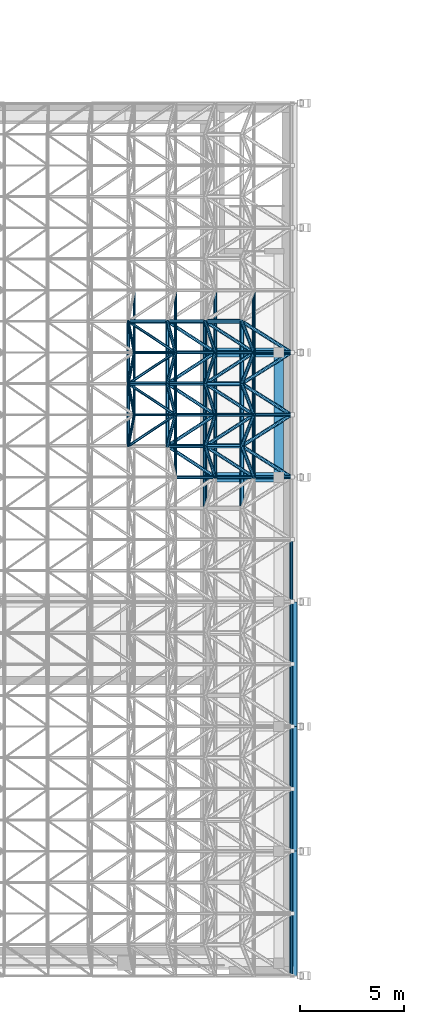
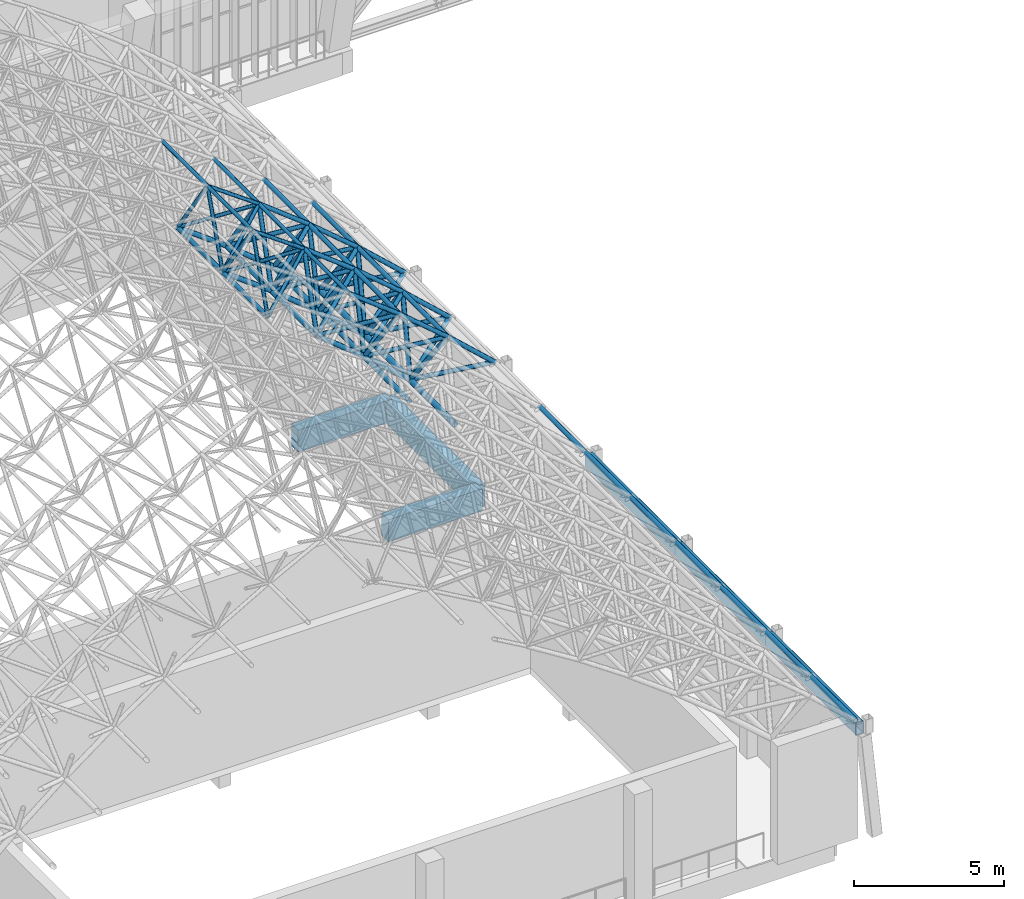
# One storey, part 23 of 141: 84 members, 6 beams.
"""IFC4 building model written with IfcOpenShell, lengths in metres."""

from ifc_helpers import new_model, si_unit, direction, frame, origin, origin_2d, place, context, subcontext, project, spatial, rectangle, hollow_rectangle, hollow_circle, extrude, material, material_profile, profile_set, type_object, element, save


model = new_model("IFC4")

# Units and contexts
model_context = context("Model", 3, precision=1e-05, world=origin(), true_north=direction((0.0, 1.0)))
body_context = subcontext(model_context, "Body", "Model", "MODEL_VIEW")
ifc_project = project(units=[si_unit("LENGTHUNIT", "METRE"), si_unit("AREAUNIT", "SQUARE_METRE"), si_unit("VOLUMEUNIT", "CUBIC_METRE"), si_unit("PLANEANGLEUNIT", "RADIAN"), si_unit("MASSUNIT", "GRAM", prefix="KILO")], contexts=[model_context])

# Site, building, storey
site_placement = place(None, origin())
site = spatial("IfcSite", under=ifc_project, at=site_placement, CompositionType="ELEMENT")
building_placement = place(site_placement, origin())
building = spatial("IfcBuilding", under=site, at=building_placement, Name="Lantern Court Media Centre", CompositionType="ELEMENT")
storey_placement = place(building_placement, frame((0.0, 0.0, 9.60009765625)))
storey = spatial("IfcBuildingStorey", under=building, at=storey_placement, Name="L02", CompositionType="ELEMENT", Elevation=9.60009765625)

# Members
ifc_material_1 = material(Name="Steel S355J2 (EN 10025-2)", Category="steel")
ifc_material_profile_1 = material_profile(ifc_material_1, hollow_circle(Radius=0.084228515625, WallThickness=0.008056640625, at=origin_2d()), Name="Cinema Hall bottom CHS 168.3x8")
ifc_profile_set_1 = profile_set([ifc_material_profile_1], Name="Steel S355J2 (EN 10025-2)")
member_type_1 = type_object("IfcMemberType", Name="Cinema Hall bottom CHS 168.3x8", PredefinedType="CHORD", material=ifc_profile_set_1)
for number, where, z_axis, x_axis, name in (
    (1, (24.162353515625, 23.5, 8.463623046875), (0.0, 1.0, 0.0), (-1.0, 0.0, 0.0), "Cinema Hall bottom chord 13-09"),
    (2, (24.162353515625, 26.5, 8.463623046875), (0.0, 1.0, 0.0), (-1.0, 0.0, 0.0), "Cinema Hall bottom chord 13-10"),
):
    element("IfcMember", number, at=place(storey_placement, frame(where, z_axis=z_axis, x_axis=x_axis)), inside=storey, type_object=member_type_1, Name=name, PredefinedType="CHORD", context=body_context, shape_type="SweptSolid", body=[
        extrude(hollow_circle(Radius=0.084228515625, WallThickness=0.008056640625, at=origin_2d()), origin(), (0.0, 0.0, 1.0), 3.0),
    ])
ifc_material_profile_2 = material_profile(ifc_material_1, hollow_circle(Radius=0.096923828125, WallThickness=0.010009765625, at=origin_2d()), Name="Cinema Hall bottom CHS 193.7x10")
ifc_profile_set_2 = profile_set([ifc_material_profile_2], Name="Steel S355J2 (EN 10025-2)")
member_type_2 = type_object("IfcMemberType", Name="Cinema Hall bottom CHS 193.7x10", PredefinedType="CHORD", material=ifc_profile_set_2)
for number, where, z_axis, x_axis, name in (
    (3, (27.8623046875, 20.5, 5.57275390625), (0.0, 1.0, 0.0), (-1.0, 0.0, 0.0), "Cinema Hall bottom chord 15-08"),
    (4, (27.8623046875, 23.5, 5.57275390625), (0.0, 1.0, 0.0), (-1.0, 0.0, 0.0), "Cinema Hall bottom chord 15-09"),
    (5, (27.8623046875, 26.5, 5.57275390625), (0.0, 1.0, 0.0), (-1.0, 0.0, 0.0), "Cinema Hall bottom chord 15-10"),
):
    element("IfcMember", number, at=place(storey_placement, frame(where, z_axis=z_axis, x_axis=x_axis)), inside=storey, type_object=member_type_2, Name=name, PredefinedType="CHORD", context=body_context, shape_type="SweptSolid", body=[
        extrude(hollow_circle(Radius=0.096923828125, WallThickness=0.010009765625, at=origin_2d()), origin(), (0.0, 0.0, 1.0), 3.0),
    ])
for number, where, z_axis, x_axis, name in (
    (6, (26.041748046875, 23.5, 7.0556640625), (0.775340578175, 0.0, -0.63154333805), (0.0, 1.0, 0.0), "Cinema Hall bottom chord 14-09 across"),
    (7, (26.041748046875, 26.5, 7.0556640625), (0.775340578175, 0.0, -0.63154333805), (0.0, 1.0, 0.0), "Cinema Hall bottom chord 14-10 across"),
    (8, (26.041748046875, 29.5, 7.0556640625), (0.775340578175, 0.0, -0.63154333805), (0.0, 1.0, 0.0), "Cinema Hall bottom chord 14-11 across"),
):
    element("IfcMember", number, at=place(storey_placement, frame(where, z_axis=z_axis, x_axis=x_axis)), inside=storey, type_object=member_type_2, Name=name, PredefinedType="CHORD", context=body_context, shape_type="SweptSolid", body=[
        extrude(hollow_circle(Radius=0.096923828125, WallThickness=0.010009765625, at=origin_2d()), origin(), (0.0, 0.0, 1.0), 2.34814453125),
    ])
ifc_material_profile_3 = material_profile(ifc_material_1, hollow_circle(Radius=0.096923828125, WallThickness=0.008056640625, at=origin_2d()), Name="Cinema Hall bottom CHS 193.7x8")
ifc_profile_set_3 = profile_set([ifc_material_profile_3], Name="Steel S355J2 (EN 10025-2)")
member_type_3 = type_object("IfcMemberType", Name="Cinema Hall bottom CHS 193.7x8", PredefinedType="CHORD", material=ifc_profile_set_3)
for number, where, z_axis, x_axis, name in (
    (9, (26.041748046875, 23.5, 7.0556640625), (0.0, 1.0, 0.0), (-1.0, 0.0, 0.0), "Cinema Hall bottom chord 14-09"),
    (10, (26.041748046875, 26.5, 7.0556640625), (0.0, 1.0, 0.0), (-1.0, 0.0, 0.0), "Cinema Hall bottom chord 14-10"),
):
    element("IfcMember", number, at=place(storey_placement, frame(where, z_axis=z_axis, x_axis=x_axis)), inside=storey, type_object=member_type_3, Name=name, PredefinedType="CHORD", context=body_context, shape_type="SweptSolid", body=[
        extrude(hollow_circle(Radius=0.096923828125, WallThickness=0.008056640625, at=origin_2d()), origin(), (0.0, 0.0, 1.0), 3.0),
    ])
for number, where, z_axis, x_axis, name in (
    (11, (24.162353515625, 26.5, 8.463623046875), (0.800324254575, 0.0, -0.599567417009), (0.0, 1.0, 0.0), "Cinema Hall bottom chord 13-10 across"),
    (12, (24.162353515625, 29.5, 8.463623046875), (0.800324254575, 0.0, -0.599567417009), (0.0, 1.0, 0.0), "Cinema Hall bottom chord 13-11 across"),
):
    element("IfcMember", number, at=place(storey_placement, frame(where, z_axis=z_axis, x_axis=x_axis)), inside=storey, type_object=member_type_3, Name=name, PredefinedType="CHORD", context=body_context, shape_type="SweptSolid", body=[
        extrude(hollow_circle(Radius=0.096923828125, WallThickness=0.008056640625, at=origin_2d()), origin(), (0.0, 0.0, 1.0), 2.348388671875),
    ])
ifc_material_profile_4 = material_profile(ifc_material_1, hollow_circle(Radius=0.109619140625, WallThickness=0.010009765625, at=origin_2d()), Name="Cinema Hall bottom CHS 219.1x10")
ifc_profile_set_4 = profile_set([ifc_material_profile_4], Name="Steel S355J2 (EN 10025-2)")
member_type_4 = type_object("IfcMemberType", Name="Cinema Hall bottom CHS 219.1x10", PredefinedType="CHORD", material=ifc_profile_set_4)
for number, where, z_axis, x_axis, name in (
    (13, (29.621337890625, 20.5, 4.016845703125), (0.0, 1.0, 0.0), (-1.0, 0.0, 0.0), "Cinema Hall bottom chord 16-08"),
    (14, (29.621337890625, 23.5, 4.016845703125), (0.0, 1.0, 0.0), (-1.0, 0.0, 0.0), "Cinema Hall bottom chord 16-09"),
    (15, (29.621337890625, 26.5, 4.016845703125), (0.0, 1.0, 0.0), (-1.0, 0.0, 0.0), "Cinema Hall bottom chord 16-10"),
):
    element("IfcMember", number, at=place(storey_placement, frame(where, z_axis=z_axis, x_axis=x_axis)), inside=storey, type_object=member_type_4, Name=name, PredefinedType="CHORD", context=body_context, shape_type="SweptSolid", body=[
        extrude(hollow_circle(Radius=0.109619140625, WallThickness=0.010009765625, at=origin_2d()), origin(), (0.0, 0.0, 1.0), 3.0),
    ])
for number, where, z_axis, x_axis, name in (
    (16, (27.8623046875, 23.5, 5.57275390625), (0.749030294531, 0.0, -0.662535748375), (0.0, 1.0, 0.0), "Cinema Hall bottom chord 15-09 across"),
    (17, (27.8623046875, 26.5, 5.57275390625), (0.749030294531, 0.0, -0.662535748375), (0.0, 1.0, 0.0), "Cinema Hall bottom chord 15-10 across"),
    (18, (27.8623046875, 29.5, 5.57275390625), (0.749030294531, 0.0, -0.662535748375), (0.0, 1.0, 0.0), "Cinema Hall bottom chord 15-11 across"),
):
    element("IfcMember", number, at=place(storey_placement, frame(where, z_axis=z_axis, x_axis=x_axis)), inside=storey, type_object=member_type_4, Name=name, PredefinedType="CHORD", context=body_context, shape_type="SweptSolid", body=[
        extrude(hollow_circle(Radius=0.109619140625, WallThickness=0.010009765625, at=origin_2d()), origin(), (0.0, 0.0, 1.0), 2.348388671875),
    ])
ifc_material_profile_5 = material_profile(ifc_material_1, hollow_circle(Radius=0.06982421875, WallThickness=0.008056640625, at=origin_2d()), Name="Cinema Hall diagonal CHS 139.7x8")
ifc_profile_set_5 = profile_set([ifc_material_profile_5], Name="Steel S355J2 (EN 10025-2)")
member_type_5 = type_object("IfcMemberType", Name="Cinema Hall diagonal CHS 139.7x8", PredefinedType="BRACE", material=ifc_profile_set_5)
member_1_placement = place(storey_placement, frame((24.162353515625, 23.5, 8.463623046875), z_axis=(0.776210877705, 0.513849761084, 0.365315064521), x_axis=(-0.552001963744, 0.833842810141, 0.0)))
element("IfcMember", 19, at=member_1_placement, inside=storey, type_object=member_type_5, Name="Cinema Hall diagonal 13-09-3", PredefinedType="BRACE", context=body_context, shape_type="SweptSolid", body=[
    extrude(hollow_circle(Radius=0.06982421875, WallThickness=0.008056640625, at=origin_2d()), origin(), (0.0, 0.0, 1.0), 2.919189453125),
])
for number, where, z_axis, x_axis, name in (
    (20, (24.162353515625, 23.5, 8.463623046875), (0.09785614588, 0.51387022247, 0.852268484207), (-0.982346962135, 0.187068025016, 0.0), "Cinema Hall diagonal 13-09-4"),
    (21, (24.162353515625, 26.5, 8.463623046875), (0.09785614588, -0.51387022247, 0.852268484207), (0.982346962135, 0.187068025016, 0.0), "Cinema Hall diagonal 13-10-1"),
):
    element("IfcMember", number, at=place(storey_placement, frame(where, z_axis=z_axis, x_axis=x_axis)), inside=storey, type_object=member_type_5, Name=name, PredefinedType="BRACE", context=body_context, shape_type="SweptSolid", body=[
        extrude(hollow_circle(Radius=0.06982421875, WallThickness=0.008056640625, at=origin_2d()), origin(), (0.0, 0.0, 1.0), 2.9189453125),
    ])
for number, where, z_axis, x_axis, name in (
    (22, (24.162353515625, 26.5, 8.463623046875), (0.776210877705, -0.513849761084, 0.365315064521), (0.552001963744, 0.833842810141, 0.0), "Cinema Hall diagonal 13-10-2"),
    (23, (24.162353515625, 26.5, 8.463623046875), (0.776210877705, 0.513849761084, 0.365315064521), (-0.552001963744, 0.833842810141, 0.0), "Cinema Hall diagonal 13-10-3"),
):
    element("IfcMember", number, at=place(storey_placement, frame(where, z_axis=z_axis, x_axis=x_axis)), inside=storey, type_object=member_type_5, Name=name, PredefinedType="BRACE", context=body_context, shape_type="SweptSolid", body=[
        extrude(hollow_circle(Radius=0.06982421875, WallThickness=0.008056640625, at=origin_2d()), origin(), (0.0, 0.0, 1.0), 2.919189453125),
    ])
for number, where, z_axis, x_axis, name in (
    (24, (24.162353515625, 26.5, 8.463623046875), (0.09785614588, 0.51387022247, 0.852268484207), (-0.982346962135, 0.187068025016, 0.0), "Cinema Hall diagonal 13-10-4"),
    (25, (24.162353515625, 29.5, 8.463623046875), (0.09785614588, -0.51387022247, 0.852268484207), (0.982346962135, 0.187068025016, 0.0), "Cinema Hall diagonal 13-11-1"),
):
    element("IfcMember", number, at=place(storey_placement, frame(where, z_axis=z_axis, x_axis=x_axis)), inside=storey, type_object=member_type_5, Name=name, PredefinedType="BRACE", context=body_context, shape_type="SweptSolid", body=[
        extrude(hollow_circle(Radius=0.06982421875, WallThickness=0.008056640625, at=origin_2d()), origin(), (0.0, 0.0, 1.0), 2.9189453125),
    ])
member_2_placement = place(storey_placement, frame((24.162353515625, 29.5, 8.463623046875), z_axis=(0.776210877705, -0.513849761084, 0.365315064521), x_axis=(0.552001963744, 0.833842810141, 0.0)))
element("IfcMember", 26, at=member_2_placement, inside=storey, type_object=member_type_5, Name="Cinema Hall diagonal 13-11-2", PredefinedType="BRACE", context=body_context, shape_type="SweptSolid", body=[
    extrude(hollow_circle(Radius=0.06982421875, WallThickness=0.008056640625, at=origin_2d()), origin(), (0.0, 0.0, 1.0), 2.919189453125),
])
ifc_material_profile_6 = material_profile(ifc_material_1, hollow_circle(Radius=0.084228515625, WallThickness=0.010009765625, at=origin_2d()), Name="Cinema Hall diagonal CHS 168.3x10")
ifc_profile_set_6 = profile_set([ifc_material_profile_6], Name="Steel S355J2 (EN 10025-2)")
member_type_6 = type_object("IfcMemberType", Name="Cinema Hall diagonal CHS 168.3x10", PredefinedType="BRACE", material=ifc_profile_set_6)
member_3_placement = place(storey_placement, frame((27.8623046875, 23.5, 5.57275390625), z_axis=(0.166695380465, -0.513886812634, 0.841506383774), x_axis=(0.951206854862, 0.308553916299, 0.0)))
element("IfcMember", 27, at=member_3_placement, inside=storey, type_object=member_type_6, Name="Cinema Hall diagonal 15-09-1", PredefinedType="BRACE", context=body_context, shape_type="SweptSolid", body=[
    extrude(hollow_circle(Radius=0.084228515625, WallThickness=0.010009765625, at=origin_2d()), origin(), (0.0, 0.0, 1.0), 2.9189453125),
])
for number, where, z_axis, x_axis, name in (
    (28, (27.8623046875, 23.5, 5.57275390625), (0.803309435106, -0.513850408047, 0.301084223465), (0.538854579896, 0.842398802068, 0.0), "Cinema Hall diagonal 15-09-2"),
    (29, (27.8623046875, 23.5, 5.57275390625), (0.803309435106, 0.513850408047, 0.301084223465), (-0.538854579896, 0.842398802068, 0.0), "Cinema Hall diagonal 15-09-3"),
):
    element("IfcMember", number, at=place(storey_placement, frame(where, z_axis=z_axis, x_axis=x_axis)), inside=storey, type_object=member_type_6, Name=name, PredefinedType="BRACE", context=body_context, shape_type="SweptSolid", body=[
        extrude(hollow_circle(Radius=0.084228515625, WallThickness=0.010009765625, at=origin_2d()), origin(), (0.0, 0.0, 1.0), 2.919189453125),
    ])
for number, where, z_axis, x_axis, name in (
    (30, (27.8623046875, 23.5, 5.57275390625), (0.166695380465, 0.513886812634, 0.841506383774), (-0.951206854862, 0.308553916299, 0.0), "Cinema Hall diagonal 15-09-4"),
    (31, (27.8623046875, 26.5, 5.57275390625), (0.166695380465, -0.513886812634, 0.841506383774), (0.951206854862, 0.308553916299, 0.0), "Cinema Hall diagonal 15-10-1"),
):
    element("IfcMember", number, at=place(storey_placement, frame(where, z_axis=z_axis, x_axis=x_axis)), inside=storey, type_object=member_type_6, Name=name, PredefinedType="BRACE", context=body_context, shape_type="SweptSolid", body=[
        extrude(hollow_circle(Radius=0.084228515625, WallThickness=0.010009765625, at=origin_2d()), origin(), (0.0, 0.0, 1.0), 2.9189453125),
    ])
for number, where, z_axis, x_axis, name in (
    (32, (27.8623046875, 26.5, 5.57275390625), (0.803309435106, -0.513850408047, 0.301084223465), (0.538854579896, 0.842398802068, 0.0), "Cinema Hall diagonal 15-10-2"),
    (33, (27.8623046875, 26.5, 5.57275390625), (0.803309435106, 0.513850408047, 0.301084223465), (-0.538854579896, 0.842398802068, 0.0), "Cinema Hall diagonal 15-10-3"),
):
    element("IfcMember", number, at=place(storey_placement, frame(where, z_axis=z_axis, x_axis=x_axis)), inside=storey, type_object=member_type_6, Name=name, PredefinedType="BRACE", context=body_context, shape_type="SweptSolid", body=[
        extrude(hollow_circle(Radius=0.084228515625, WallThickness=0.010009765625, at=origin_2d()), origin(), (0.0, 0.0, 1.0), 2.919189453125),
    ])
for number, where, z_axis, x_axis, name in (
    (34, (27.8623046875, 26.5, 5.57275390625), (0.166695380465, 0.513886812634, 0.841506383774), (-0.951206854862, 0.308553916299, 0.0), "Cinema Hall diagonal 15-10-4"),
    (35, (27.8623046875, 29.5, 5.57275390625), (0.166695380465, -0.513886812634, 0.841506383774), (0.951206854862, 0.308553916299, 0.0), "Cinema Hall diagonal 15-11-1"),
):
    element("IfcMember", number, at=place(storey_placement, frame(where, z_axis=z_axis, x_axis=x_axis)), inside=storey, type_object=member_type_6, Name=name, PredefinedType="BRACE", context=body_context, shape_type="SweptSolid", body=[
        extrude(hollow_circle(Radius=0.084228515625, WallThickness=0.010009765625, at=origin_2d()), origin(), (0.0, 0.0, 1.0), 2.9189453125),
    ])
member_4_placement = place(storey_placement, frame((27.8623046875, 29.5, 5.57275390625), z_axis=(0.803309435106, -0.513850408047, 0.301084223465), x_axis=(0.538854579896, 0.842398802068, 0.0)))
element("IfcMember", 36, at=member_4_placement, inside=storey, type_object=member_type_6, Name="Cinema Hall diagonal 15-11-2", PredefinedType="BRACE", context=body_context, shape_type="SweptSolid", body=[
    extrude(hollow_circle(Radius=0.084228515625, WallThickness=0.010009765625, at=origin_2d()), origin(), (0.0, 0.0, 1.0), 2.919189453125),
])
ifc_material_profile_7 = material_profile(ifc_material_1, hollow_circle(Radius=0.084228515625, WallThickness=0.008056640625, at=origin_2d()), Name="Cinema Hall diagonal CHS 168.3x8")
ifc_profile_set_7 = profile_set([ifc_material_profile_7], Name="Steel S355J2 (EN 10025-2)")
member_type_7 = type_object("IfcMemberType", Name="Cinema Hall diagonal CHS 168.3x8", PredefinedType="BRACE", material=ifc_profile_set_7)
for number, where, z_axis, x_axis, name in (
    (37, (26.041748046875, 23.5, 7.0556640625), (0.790394065187, -0.513881601747, 0.333471019884), (0.545081898441, 0.838382802777, 0.0), "Cinema Hall diagonal 14-09-2"),
    (38, (26.041748046875, 23.5, 7.0556640625), (0.790394065187, 0.513881601747, 0.333471019884), (-0.545081898441, 0.838382802777, 0.0), "Cinema Hall diagonal 14-09-3"),
):
    element("IfcMember", number, at=place(storey_placement, frame(where, z_axis=z_axis, x_axis=x_axis)), inside=storey, type_object=member_type_7, Name=name, PredefinedType="BRACE", context=body_context, shape_type="SweptSolid", body=[
        extrude(hollow_circle(Radius=0.084228515625, WallThickness=0.008056640625, at=origin_2d()), origin(), (0.0, 0.0, 1.0), 2.9189453125),
    ])
for number, where, z_axis, x_axis, name in (
    (39, (26.041748046875, 23.5, 7.0556640625), (0.132389678542, 0.513835871739, 0.847611744804), (-0.968374432366, 0.249501420318, 0.0), "Cinema Hall diagonal 14-09-4"),
    (40, (26.041748046875, 26.5, 7.0556640625), (0.132389678542, -0.513835871739, 0.847611744804), (0.968374432366, 0.249501420318, 0.0), "Cinema Hall diagonal 14-10-1"),
):
    element("IfcMember", number, at=place(storey_placement, frame(where, z_axis=z_axis, x_axis=x_axis)), inside=storey, type_object=member_type_7, Name=name, PredefinedType="BRACE", context=body_context, shape_type="SweptSolid", body=[
        extrude(hollow_circle(Radius=0.084228515625, WallThickness=0.008056640625, at=origin_2d()), origin(), (0.0, 0.0, 1.0), 2.919189453125),
    ])
for number, where, z_axis, x_axis, name in (
    (41, (26.041748046875, 26.5, 7.0556640625), (0.790394065187, -0.513881601747, 0.333471019884), (0.545081898441, 0.838382802777, 0.0), "Cinema Hall diagonal 14-10-2"),
    (42, (26.041748046875, 26.5, 7.0556640625), (0.790394065187, 0.513881601747, 0.333471019884), (-0.545081898441, 0.838382802777, 0.0), "Cinema Hall diagonal 14-10-3"),
):
    element("IfcMember", number, at=place(storey_placement, frame(where, z_axis=z_axis, x_axis=x_axis)), inside=storey, type_object=member_type_7, Name=name, PredefinedType="BRACE", context=body_context, shape_type="SweptSolid", body=[
        extrude(hollow_circle(Radius=0.084228515625, WallThickness=0.008056640625, at=origin_2d()), origin(), (0.0, 0.0, 1.0), 2.9189453125),
    ])
for number, where, z_axis, x_axis, name in (
    (43, (26.041748046875, 26.5, 7.0556640625), (0.132389678542, 0.513835871739, 0.847611744804), (-0.968374432366, 0.249501420318, 0.0), "Cinema Hall diagonal 14-10-4"),
    (44, (26.041748046875, 29.5, 7.0556640625), (0.132389678542, -0.513835871739, 0.847611744804), (0.968374432366, 0.249501420318, 0.0), "Cinema Hall diagonal 14-11-1"),
):
    element("IfcMember", number, at=place(storey_placement, frame(where, z_axis=z_axis, x_axis=x_axis)), inside=storey, type_object=member_type_7, Name=name, PredefinedType="BRACE", context=body_context, shape_type="SweptSolid", body=[
        extrude(hollow_circle(Radius=0.084228515625, WallThickness=0.008056640625, at=origin_2d()), origin(), (0.0, 0.0, 1.0), 2.919189453125),
    ])
member_5_placement = place(storey_placement, frame((26.041748046875, 29.5, 7.0556640625), z_axis=(0.790394065187, -0.513881601747, 0.333471019884), x_axis=(0.545081898441, 0.838382802777, 0.0)))
element("IfcMember", 45, at=member_5_placement, inside=storey, type_object=member_type_7, Name="Cinema Hall diagonal 14-11-2", PredefinedType="BRACE", context=body_context, shape_type="SweptSolid", body=[
    extrude(hollow_circle(Radius=0.084228515625, WallThickness=0.008056640625, at=origin_2d()), origin(), (0.0, 0.0, 1.0), 2.9189453125),
])
ifc_material_profile_8 = material_profile(ifc_material_1, hollow_circle(Radius=0.0888671875, WallThickness=0.010009765625, at=origin_2d()), Name="Cinema Hall diagonal CHS 177.8x10")
ifc_profile_set_8 = profile_set([ifc_material_profile_8], Name="Steel S355J2 (EN 10025-2)")
member_type_8 = type_object("IfcMemberType", Name="Cinema Hall diagonal CHS 177.8x10", PredefinedType="BRACE", material=ifc_profile_set_8)
for number, where, z_axis, x_axis, name in (
    (46, (29.621337890625, 23.5, 4.016845703125), (0.200719513512, -0.513841954591, 0.834073211773), (0.93145734948, 0.36385052714, 0.0), "Cinema Hall diagonal 16-09-1"),
    (47, (29.621337890625, 23.5, 4.016845703125), (0.814865608485, -0.513859622142, 0.268220671909), (0.533404912089, 0.845860035561, 0.0), "Cinema Hall diagonal 16-09-2"),
    (48, (29.621337890625, 23.5, 4.016845703125), (0.814865608485, 0.513859622142, 0.268220671909), (-0.533404912089, 0.845860035561, 0.0), "Cinema Hall diagonal 16-09-3"),
    (49, (29.621337890625, 23.5, 4.016845703125), (0.200719513512, 0.513841954591, 0.834073211773), (-0.93145734948, 0.36385052714, 0.0), "Cinema Hall diagonal 16-09-4"),
    (50, (29.621337890625, 26.5, 4.016845703125), (0.200719513512, -0.513841954591, 0.834073211773), (0.93145734948, 0.36385052714, 0.0), "Cinema Hall diagonal 16-10-1"),
    (51, (29.621337890625, 26.5, 4.016845703125), (0.814865608485, -0.513859622142, 0.268220671909), (0.533404912089, 0.845860035561, 0.0), "Cinema Hall diagonal 16-10-2"),
    (52, (29.621337890625, 26.5, 4.016845703125), (0.814865608485, 0.513859622142, 0.268220671909), (-0.533404912089, 0.845860035561, 0.0), "Cinema Hall diagonal 16-10-3"),
    (53, (29.621337890625, 26.5, 4.016845703125), (0.200719513512, 0.513841954591, 0.834073211773), (-0.93145734948, 0.36385052714, 0.0), "Cinema Hall diagonal 16-10-4"),
    (54, (29.621337890625, 29.5, 4.016845703125), (0.200719513512, -0.513841954591, 0.834073211773), (0.93145734948, 0.36385052714, 0.0), "Cinema Hall diagonal 16-11-1"),
    (55, (29.621337890625, 29.5, 4.016845703125), (0.814865608485, -0.513859622142, 0.268220671909), (0.533404912089, 0.845860035561, 0.0), "Cinema Hall diagonal 16-11-2"),
):
    element("IfcMember", number, at=place(storey_placement, frame(where, z_axis=z_axis, x_axis=x_axis)), inside=storey, type_object=member_type_8, Name=name, PredefinedType="BRACE", context=body_context, shape_type="SweptSolid", body=[
        extrude(hollow_circle(Radius=0.0888671875, WallThickness=0.010009765625, at=origin_2d()), origin(), (0.0, 0.0, 1.0), 2.919189453125),
    ])

# Beams
ifc_material_profile_9 = material_profile(ifc_material_1, hollow_rectangle(XDim=0.300048828125, YDim=0.5, WallThickness=0.01611328125, InnerFilletRadius=0.01611328125, OuterFilletRadius=0.02392578125, at=origin_2d()), Name="Cinema Hall edge girder RHS 500x300x16")
ifc_profile_set_9 = profile_set([ifc_material_profile_9], Name="Steel S355J2 (EN 10025-2)")
beam_type_1 = type_object("IfcBeamType", Name="Cinema Hall edge girder RHS 500x300x16", PredefinedType="BEAM", material=ifc_profile_set_9)
for number, where, z_axis, x_axis, name in (
    (56, (32.14990234375, -2.0, 4.449951171875), (0.0, 1.0, 0.0), (-1.0, 0.0, 0.0), "Cinema Hall edge girder east 1"),
    (57, (32.14990234375, 4.0, 4.449951171875), (0.0, 1.0, 0.0), (-1.0, 0.0, 0.0), "Cinema Hall edge girder east 2"),
    (58, (32.14990234375, 10.0, 4.449951171875), (0.0, 1.0, 0.0), (-1.0, 0.0, 0.0), "Cinema Hall edge girder east 3"),
):
    element("IfcBeam", number, at=place(storey_placement, frame(where, z_axis=z_axis, x_axis=x_axis)), inside=storey, type_object=beam_type_1, Name=name, PredefinedType="BEAM", context=body_context, shape_type="SweptSolid", body=[
        extrude(hollow_rectangle(XDim=0.300048828125, YDim=0.5, WallThickness=0.01611328125, InnerFilletRadius=0.01611328125, OuterFilletRadius=0.02392578125, at=origin_2d()), origin(), (0.0, 0.0, 1.0), 6.0),
    ])

# Members
ifc_material_profile_10 = material_profile(ifc_material_1, hollow_circle(Radius=0.06982421875, WallThickness=0.00634765625, at=origin_2d()), Name="Cinema Hall top CHS 139.7x6.3")
ifc_profile_set_10 = profile_set([ifc_material_profile_10], Name="Steel S355J2 (EN 10025-2)")
member_type_9 = type_object("IfcMemberType", Name="Cinema Hall top CHS 139.7x6.3", PredefinedType="CHORD", material=ifc_profile_set_10)
for number, where, z_axis, x_axis, name in (
    (59, (24.447998046875, 25.0, 10.951416015625), (0.0, 1.0, 0.0), (-1.0, 0.0, 0.0), "Cinema Hall top chord 13-10"),
    (60, (24.447998046875, 28.0, 10.951416015625), (0.0, 1.0, 0.0), (-1.0, 0.0, 0.0), "Cinema Hall top chord 13-11"),
):
    element("IfcMember", number, at=place(storey_placement, frame(where, z_axis=z_axis, x_axis=x_axis)), inside=storey, type_object=member_type_9, Name=name, PredefinedType="CHORD", context=body_context, shape_type="SweptSolid", body=[
        extrude(hollow_circle(Radius=0.06982421875, WallThickness=0.00634765625, at=origin_2d()), origin(), (0.0, 0.0, 1.0), 3.0),
    ])
ifc_material_profile_11 = material_profile(ifc_material_1, hollow_circle(Radius=0.06982421875, WallThickness=0.008056640625, at=origin_2d()), Name="Cinema Hall top CHS 139.7x8")
ifc_profile_set_11 = profile_set([ifc_material_profile_11], Name="Steel S355J2 (EN 10025-2)")
member_type_10 = type_object("IfcMemberType", Name="Cinema Hall top CHS 139.7x8", PredefinedType="CHORD", material=ifc_profile_set_11)
for number, where, z_axis, x_axis, name in (
    (61, (26.42822265625, 22.0, 9.530029296875), (0.0, 1.0, 0.0), (-1.0, 0.0, 0.0), "Cinema Hall top chord 14-09"),
    (62, (26.42822265625, 25.0, 9.530029296875), (0.0, 1.0, 0.0), (-1.0, 0.0, 0.0), "Cinema Hall top chord 14-10"),
    (63, (26.42822265625, 28.0, 9.530029296875), (0.0, 1.0, 0.0), (-1.0, 0.0, 0.0), "Cinema Hall top chord 14-11"),
):
    element("IfcMember", number, at=place(storey_placement, frame(where, z_axis=z_axis, x_axis=x_axis)), inside=storey, type_object=member_type_10, Name=name, PredefinedType="CHORD", context=body_context, shape_type="SweptSolid", body=[
        extrude(hollow_circle(Radius=0.06982421875, WallThickness=0.008056640625, at=origin_2d()), origin(), (0.0, 0.0, 1.0), 3.0),
    ])
for number, where, z_axis, x_axis, name in (
    (64, (24.447998046875, 25.0, 10.951416015625), (0.812384562891, 0.0, -0.583122047239), (0.0, 1.0, 0.0), "Cinema Hall top chord 13-10 across"),
    (65, (24.447998046875, 28.0, 10.951416015625), (0.812384562891, 0.0, -0.583122047239), (0.0, 1.0, 0.0), "Cinema Hall top chord 13-11 across"),
):
    element("IfcMember", number, at=place(storey_placement, frame(where, z_axis=z_axis, x_axis=x_axis)), inside=storey, type_object=member_type_10, Name=name, PredefinedType="CHORD", context=body_context, shape_type="SweptSolid", body=[
        extrude(hollow_circle(Radius=0.06982421875, WallThickness=0.008056640625, at=origin_2d()), origin(), (0.0, 0.0, 1.0), 2.4375),
    ])
ifc_material_profile_12 = material_profile(ifc_material_1, hollow_circle(Radius=0.084228515625, WallThickness=0.010009765625, at=origin_2d()), Name="Cinema Hall top CHS 168.3x10")
ifc_profile_set_12 = profile_set([ifc_material_profile_12], Name="Steel S355J2 (EN 10025-2)")
member_type_11 = type_object("IfcMemberType", Name="Cinema Hall top CHS 168.3x10", PredefinedType="CHORD", material=ifc_profile_set_12)
for number, where, z_axis, x_axis, name in (
    (66, (30.207275390625, 22.0, 6.45166015625), (0.0, 1.0, 0.0), (-1.0, 0.0, 0.0), "Cinema Hall top chord 16-09"),
    (67, (30.207275390625, 25.0, 6.45166015625), (0.0, 1.0, 0.0), (-1.0, 0.0, 0.0), "Cinema Hall top chord 16-10"),
    (68, (30.207275390625, 28.0, 6.45166015625), (0.0, 1.0, 0.0), (-1.0, 0.0, 0.0), "Cinema Hall top chord 16-11"),
):
    element("IfcMember", number, at=place(storey_placement, frame(where, z_axis=z_axis, x_axis=x_axis)), inside=storey, type_object=member_type_11, Name=name, PredefinedType="CHORD", context=body_context, shape_type="SweptSolid", body=[
        extrude(hollow_circle(Radius=0.084228515625, WallThickness=0.010009765625, at=origin_2d()), origin(), (0.0, 0.0, 1.0), 3.0),
    ])
for number, where, z_axis, x_axis, name in (
    (69, (28.348876953125, 22.0, 8.029052734375), (0.762393833283, 0.0, -0.647113315403), (0.0, 1.0, 0.0), "Cinema Hall top chord 15-09 across"),
    (70, (28.348876953125, 25.0, 8.029052734375), (0.762393833283, 0.0, -0.647113315403), (0.0, 1.0, 0.0), "Cinema Hall top chord 15-10 across"),
    (71, (28.348876953125, 28.0, 8.029052734375), (0.762393833283, 0.0, -0.647113315403), (0.0, 1.0, 0.0), "Cinema Hall top chord 15-11 across"),
):
    element("IfcMember", number, at=place(storey_placement, frame(where, z_axis=z_axis, x_axis=x_axis)), inside=storey, type_object=member_type_11, Name=name, PredefinedType="CHORD", context=body_context, shape_type="SweptSolid", body=[
        extrude(hollow_circle(Radius=0.084228515625, WallThickness=0.010009765625, at=origin_2d()), origin(), (0.0, 0.0, 1.0), 2.4375),
    ])
ifc_material_profile_13 = material_profile(ifc_material_1, hollow_circle(Radius=0.084228515625, WallThickness=0.008056640625, at=origin_2d()), Name="Cinema Hall top CHS 168.3x8")
ifc_profile_set_13 = profile_set([ifc_material_profile_13], Name="Steel S355J2 (EN 10025-2)")
member_type_12 = type_object("IfcMemberType", Name="Cinema Hall top CHS 168.3x8", PredefinedType="CHORD", material=ifc_profile_set_13)
for number, where, z_axis, x_axis, name in (
    (72, (28.348876953125, 22.0, 8.029052734375), (0.0, 1.0, 0.0), (-1.0, 0.0, 0.0), "Cinema Hall top chord 15-09"),
    (73, (28.348876953125, 25.0, 8.029052734375), (0.0, 1.0, 0.0), (-1.0, 0.0, 0.0), "Cinema Hall top chord 15-10"),
    (74, (28.348876953125, 28.0, 8.029052734375), (0.0, 1.0, 0.0), (-1.0, 0.0, 0.0), "Cinema Hall top chord 15-11"),
):
    element("IfcMember", number, at=place(storey_placement, frame(where, z_axis=z_axis, x_axis=x_axis)), inside=storey, type_object=member_type_12, Name=name, PredefinedType="CHORD", context=body_context, shape_type="SweptSolid", body=[
        extrude(hollow_circle(Radius=0.084228515625, WallThickness=0.008056640625, at=origin_2d()), origin(), (0.0, 0.0, 1.0), 3.0),
    ])
for number, where, z_axis, x_axis, name in (
    (75, (26.42822265625, 22.0, 9.530029296875), (0.787931739718, 0.0, -0.615762595117), (0.0, 1.0, 0.0), "Cinema Hall top chord 14-09 across"),
    (76, (26.42822265625, 25.0, 9.530029296875), (0.787931739718, 0.0, -0.615762595117), (0.0, 1.0, 0.0), "Cinema Hall top chord 14-10 across"),
    (77, (26.42822265625, 28.0, 9.530029296875), (0.787931739718, 0.0, -0.615762595117), (0.0, 1.0, 0.0), "Cinema Hall top chord 14-11 across"),
):
    element("IfcMember", number, at=place(storey_placement, frame(where, z_axis=z_axis, x_axis=x_axis)), inside=storey, type_object=member_type_12, Name=name, PredefinedType="CHORD", context=body_context, shape_type="SweptSolid", body=[
        extrude(hollow_circle(Radius=0.084228515625, WallThickness=0.008056640625, at=origin_2d()), origin(), (0.0, 0.0, 1.0), 2.4375),
    ])
ifc_material_profile_14 = material_profile(ifc_material_1, hollow_circle(Radius=0.0888671875, WallThickness=0.010009765625, at=origin_2d()), Name="Cinema Hall top CHS 177.8x10")
ifc_profile_set_14 = profile_set([ifc_material_profile_14], Name="Steel S355J2 (EN 10025-2)")
member_type_13 = type_object("IfcMemberType", Name="Cinema Hall top CHS 177.8x10", PredefinedType="CHORD", material=ifc_profile_set_14)
for number, where, z_axis, x_axis, name in (
    (78, (32.0, -2.0, 4.7998046875), (0.0, 1.0, 0.0), (-1.0, 0.0, 0.0), "Cinema Hall top chord 17-01"),
    (79, (32.0, 1.0, 4.7998046875), (0.0, 1.0, 0.0), (-1.0, 0.0, 0.0), "Cinema Hall top chord 17-02"),
    (80, (32.0, 4.0, 4.7998046875), (0.0, 1.0, 0.0), (-1.0, 0.0, 0.0), "Cinema Hall top chord 17-03"),
    (81, (32.0, 7.0, 4.7998046875), (0.0, 1.0, 0.0), (-1.0, 0.0, 0.0), "Cinema Hall top chord 17-04"),
    (82, (32.0, 10.0, 4.7998046875), (0.0, 1.0, 0.0), (-1.0, 0.0, 0.0), "Cinema Hall top chord 17-05"),
    (83, (32.0, 13.0, 4.7998046875), (0.0, 1.0, 0.0), (-1.0, 0.0, 0.0), "Cinema Hall top chord 17-06"),
    (84, (32.0, 16.0, 4.7998046875), (0.0, 1.0, 0.0), (-1.0, 0.0, 0.0), "Cinema Hall top chord 17-07"),
):
    element("IfcMember", number, at=place(storey_placement, frame(where, z_axis=z_axis, x_axis=x_axis)), inside=storey, type_object=member_type_13, Name=name, PredefinedType="CHORD", context=body_context, shape_type="SweptSolid", body=[
        extrude(hollow_circle(Radius=0.0888671875, WallThickness=0.010009765625, at=origin_2d()), origin(), (0.0, 0.0, 1.0), 3.0),
    ])
for number, where, z_axis, x_axis, name in (
    (85, (30.207275390625, 22.0, 6.45166015625), (0.735409817039, 0.0, -0.677622609572), (0.0, 1.0, 0.0), "Cinema Hall top chord 16-09 across"),
    (86, (30.207275390625, 25.0, 6.45166015625), (0.735409817039, 0.0, -0.677622609572), (0.0, 1.0, 0.0), "Cinema Hall top chord 16-10 across"),
    (87, (30.207275390625, 28.0, 6.45166015625), (0.735409817039, 0.0, -0.677622609572), (0.0, 1.0, 0.0), "Cinema Hall top chord 16-11 across"),
):
    element("IfcMember", number, at=place(storey_placement, frame(where, z_axis=z_axis, x_axis=x_axis)), inside=storey, type_object=member_type_13, Name=name, PredefinedType="CHORD", context=body_context, shape_type="SweptSolid", body=[
        extrude(hollow_circle(Radius=0.0888671875, WallThickness=0.010009765625, at=origin_2d()), origin(), (0.0, 0.0, 1.0), 2.437744140625),
    ])

# Beams
ifc_material_2 = material(Name="Concrete C35", Category="concrete")
ifc_material_profile_15 = material_profile(ifc_material_2, rectangle(XDim=0.449951171875, YDim=0.89990234375, at=origin_2d()), Name="RC 450x900")
ifc_profile_set_15 = profile_set([ifc_material_profile_15], Name="Concrete C35")
beam_type_2 = type_object("IfcBeamType", Name="RC BEAM 450x900", PredefinedType="BEAM", material=ifc_profile_set_15)
for number, where, z_axis, x_axis, name in (
    (88, (27.800048828125, 22.0, -0.4501953125), (1.0, 0.0, 0.0), (0.0, 1.0, 0.0), "HB-V1-L02-FX4-3"),
    (89, (27.800048828125, 28.0, -0.4501953125), (1.0, 0.0, 0.0), (0.0, 1.0, 0.0), "HB-V1-L02-FX5-3"),
):
    element("IfcBeam", number, at=place(storey_placement, frame(where, z_axis=z_axis, x_axis=x_axis)), inside=storey, type_object=beam_type_2, Name=name, PredefinedType="BEAM", context=body_context, shape_type="SweptSolid", body=[
        extrude(rectangle(XDim=0.449951171875, YDim=0.89990234375, at=origin_2d()), origin(), (0.0, 0.0, 1.0), 3.599853515625),
    ])
beam_placement = place(storey_placement, frame((31.39990234375, 22.0, -0.4501953125), z_axis=(0.0, 1.0, 0.0), x_axis=(-1.0, 0.0, 0.0)))
element("IfcBeam", 90, at=beam_placement, inside=storey, type_object=beam_type_2, Name="HB-V1-L02-FY4-4", PredefinedType="BEAM", context=body_context, shape_type="SweptSolid", body=[
    extrude(rectangle(XDim=0.449951171875, YDim=0.89990234375, at=origin_2d()), origin(), (0.0, 0.0, 1.0), 6.0),
])

save(model, "model.ifc")
